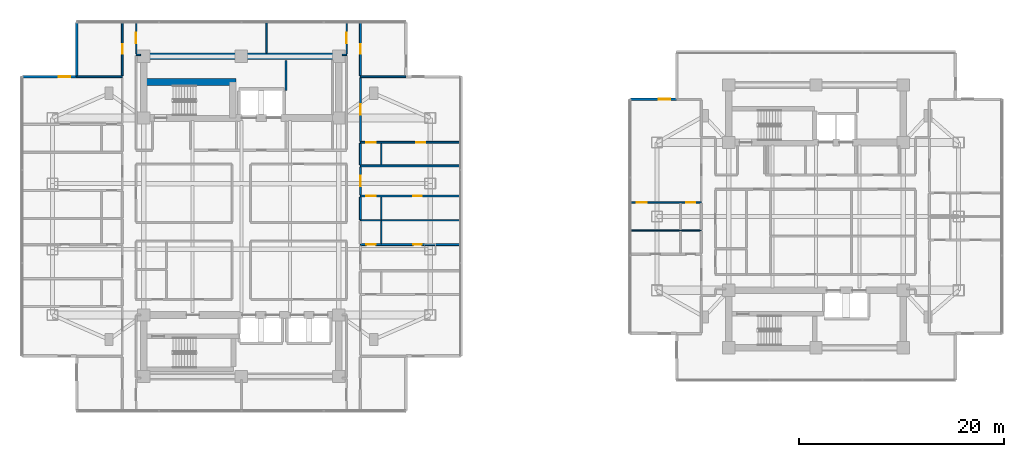
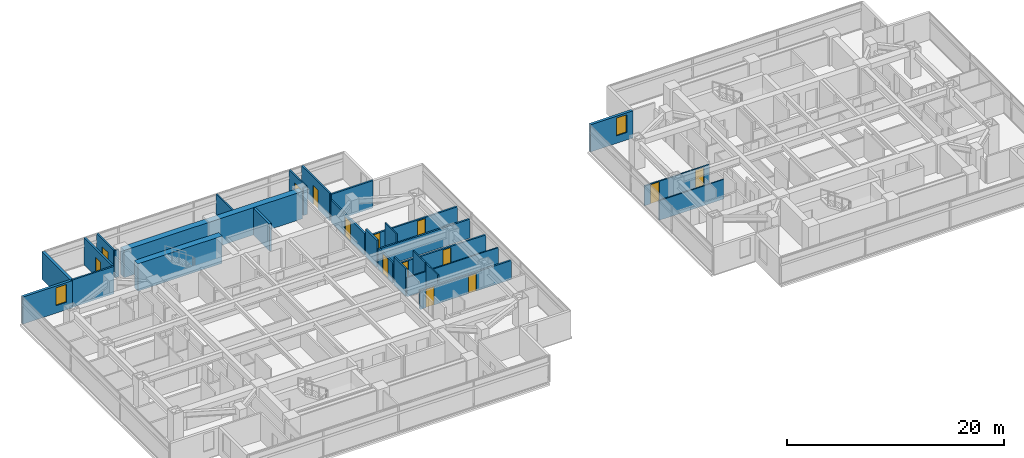
# One storey, part 15 of 24: 29 walls, 14 doors, 2 windows, 16 openings.
"""IFC4 building model written with IfcOpenShell, lengths in metres."""

from ifc_helpers import new_model, si_unit, direction, frame, frame_2d, origin, place, context, subcontext, project, spatial, rectangle, extrude, material, layer, layer_set, type_object, element, fill, save


model = new_model("IFC4")

# Units and contexts
model_context = context("Model", 3, precision=1e-05, world=origin(), true_north=direction((0.0, 1.0)))
body_context = subcontext(model_context, "Body", "Model", "MODEL_VIEW")
ifc_project = project(units=[si_unit("LENGTHUNIT", "METRE"), si_unit("AREAUNIT", "SQUARE_METRE"), si_unit("VOLUMEUNIT", "CUBIC_METRE"), si_unit("PLANEANGLEUNIT", "RADIAN"), si_unit("MASSUNIT", "GRAM", prefix="KILO")], contexts=[model_context])

# Site, building, storey
site_placement = place(None, origin())
site = spatial("IfcSite", under=ifc_project, at=site_placement, CompositionType="ELEMENT")
building_placement = place(site_placement, origin())
building = spatial("IfcBuilding", under=site, at=building_placement, Name="Mirazonda Arch Towers", CompositionType="ELEMENT")
storey_placement = place(building_placement, frame((0.0, 0.0, 101.60009765625)))
storey = spatial("IfcBuildingStorey", under=building, at=storey_placement, Name="L28", CompositionType="ELEMENT", Elevation=101.60009765625)

# Walls
ifc_material_1 = material(Name="Concrete C60/75", Category="concrete")
ifc_layer_1 = layer(ifc_material_1, 0.64990234375, Name="WALL-CORE-650")
ifc_layer_set_1 = layer_set([ifc_layer_1], Name="Concrete C60/75")
wall_type_1 = type_object("IfcWallType", Name="WALL-CORE-650", PredefinedType="SHEAR", material=ifc_layer_set_1)
wall_1_placement = place(storey_placement, frame((11.0, 43.60009765625, 0.0), z_axis=(0.0, 0.0, 1.0), x_axis=(1.0, 0.0, 0.0)))
element("IfcWall", 1, at=wall_1_placement, inside=storey, type_object=wall_type_1, Name="L28 T1N-N Core Shear Wall", PredefinedType="SHEAR", context=body_context, shape_type="SweptSolid", body=[
    extrude(rectangle(XDim=19.0, YDim=0.64990234375, at=frame_2d((9.5, 0.0))), origin(), (0.0, 0.0, 1.0), 3.079833984375),
])
wall_2_placement = place(storey_placement, frame((11.0, 41.093017578125, 0.0), z_axis=(0.0, 0.0, 1.0), x_axis=(1.0, 0.0, 0.0)))
element("IfcWall", 2, at=wall_2_placement, inside=storey, type_object=wall_type_1, Name="L28 T1N-STN Core Shear Wall", PredefinedType="SHEAR", context=body_context, shape_type="SweptSolid", body=[
    extrude(rectangle(XDim=9.0, YDim=0.64990234375, at=frame_2d((4.5, 0.0))), origin(), (0.0, 0.0, 1.0), 3.079833984375),
])

# Wall, opening, window
ifc_material_2 = material(Name="Precast Concrete C40/50", Category="concrete")
ifc_layer_2 = layer(ifc_material_2, 0.280029296875, Name="WALL-EXT-WALL-280")
ifc_layer_set_2 = layer_set([ifc_layer_2], Name="Precast Concrete C40/50")
wall_type_2 = type_object("IfcWallType", Name="WALL-EXT-WALL-280", PredefinedType="SOLIDWALL", material=ifc_layer_set_2)
wall_3_placement = place(storey_placement, frame((4.455078125, 41.616943359375, 0.0), z_axis=(0.0, 0.0, 1.0), x_axis=(-1.0, 0.0, 0.0)))
wall_3 = element("IfcWall", 3, at=wall_3_placement, inside=storey, type_object=wall_type_2, Name="L28 T1 Corner Notch Return Wall WL-L28-T1-CNW1", PredefinedType="SOLIDWALL", context=body_context, shape_type="SweptSolid", body=[
    extrude(rectangle(XDim=5.30517578125, YDim=0.280029296875, at=frame_2d((2.652587890625, 0.0))), origin(), (0.0, 0.0, 1.0), 3.059814453125),
])
opening_1_placement = place(wall_3_placement, frame((0.64990234375, 0.0, 0.85009765625)))
opening_1 = element("IfcOpeningElement", 4, at=opening_1_placement, cuts=wall_3, Name="Opening WN-108", PredefinedType="OPENING", context=body_context, shape_type="SweptSolid", body=[
    extrude(rectangle(XDim=1.10009765625, YDim=2.0, at=frame_2d((0.550048828125, 1.0))), frame((0.0, 0.14990234375, 0.0), z_axis=(0.0, -1.0, 0.0), x_axis=(1.0, 0.0, 0.0)), (0.0, 0.0, 1.0), 0.300048828125),
])
ifc_material_3 = material(Name="Insulated Low-E Solar Glass", Category="glass")
window_type = type_object("IfcWindowType", Name="WIN-NOTCH-1100x2000", PartitioningType="SINGLE_PANEL", PredefinedType="WINDOW", material=ifc_material_3)
window_1_placement = place(opening_1_placement, origin())
window_1 = element("IfcWindow", 5, at=window_1_placement, inside=storey, type_object=window_type, Name="L28 Punched Facade Window WN-L28-T1-CNW1", OverallHeight=2.0, OverallWidth=1.10009765625, PartitioningType="SINGLE_PANEL", PredefinedType="WINDOW", context=body_context, shape_type="SweptSolid", body=[
    extrude(rectangle(XDim=1.10009765625, YDim=2.0, at=frame_2d((0.550048828125, 1.0))), frame((0.0, 0.030029296875, 0.0), z_axis=(0.0, -1.0, 0.0), x_axis=(1.0, 0.0, 0.0)), (0.0, 0.0, 1.0), 0.06005859375),
])
fill(opening_1, window_1)

# Wall
wall_4_placement = place(storey_placement, frame((4.455078125, 46.922119140625, 0.0), z_axis=(0.0, 0.0, 1.0), x_axis=(0.0, -1.0, 0.0)))
element("IfcWall", 6, at=wall_4_placement, inside=storey, type_object=wall_type_2, Name="L28 T1 Corner Notch Return Wall WL-L28-T1-CNW2", PredefinedType="SOLIDWALL", context=body_context, shape_type="SweptSolid", body=[
    extrude(rectangle(XDim=5.30517578125, YDim=0.280029296875, at=frame_2d((2.652587890625, 0.0))), origin(), (0.0, 0.0, 1.0), 3.059814453125),
])

# Wall, opening, window
wall_5_placement = place(storey_placement, frame((62.921875, 39.414306640625, 0.0), z_axis=(0.0, 0.0, 1.0), x_axis=(-1.0, 0.0, 0.0)))
wall_5 = element("IfcWall", 7, at=wall_5_placement, inside=storey, type_object=wall_type_2, Name="L28 T2 Corner Notch Return Wall WL-L28-T2-CNW1", PredefinedType="SOLIDWALL", context=body_context, shape_type="SweptSolid", body=[
    extrude(rectangle(XDim=4.516357421875, YDim=0.280029296875, at=frame_2d((2.25830078125, 0.0))), origin(), (0.0, 0.0, 1.0), 3.059814453125),
])
opening_2_placement = place(wall_5_placement, frame((0.64990234375, 0.0, 0.85009765625)))
opening_2 = element("IfcOpeningElement", 8, at=opening_2_placement, cuts=wall_5, Name="Opening WN-108", PredefinedType="OPENING", context=body_context, shape_type="SweptSolid", body=[
    extrude(rectangle(XDim=1.10009765625, YDim=2.0, at=frame_2d((0.550048828125, 1.0))), frame((0.0, 0.14990234375, 0.0), z_axis=(0.0, -1.0, 0.0), x_axis=(1.0, 0.0, 0.0)), (0.0, 0.0, 1.0), 0.300048828125),
])
window_2_placement = place(opening_2_placement, origin())
window_2 = element("IfcWindow", 9, at=window_2_placement, inside=storey, type_object=window_type, Name="L28 Punched Facade Window WN-L28-T2-CNW1", OverallHeight=2.0, OverallWidth=1.10009765625, PartitioningType="SINGLE_PANEL", PredefinedType="WINDOW", context=body_context, shape_type="SweptSolid", body=[
    extrude(rectangle(XDim=1.10009765625, YDim=2.0, at=frame_2d((0.550048828125, 1.0))), frame((0.0, 0.030029296875, 0.0), z_axis=(0.0, -1.0, 0.0), x_axis=(1.0, 0.0, 0.0)), (0.0, 0.0, 1.0), 0.06005859375),
])
fill(opening_2, window_2)

# Wall
ifc_material_4 = material(Name="Concrete C40/50", Category="concrete")
ifc_layer_3 = layer(ifc_material_4, 0.219970703125, Name="WALL-FFL-220")
ifc_layer_set_3 = layer_set([ifc_layer_3], Name="Concrete C40/50")
wall_type_3 = type_object("IfcWallType", Name="WALL-FFL-220", PredefinedType="SOLIDWALL", material=ifc_layer_set_3)
wall_6_placement = place(storey_placement, frame((24.85009765625, 40.260009765625, 0.0), z_axis=(0.0, 0.0, 1.0), x_axis=(0.0, 1.0, 0.0)))
element("IfcWall", 10, at=wall_6_placement, inside=storey, type_object=wall_type_3, Name="L28 Interior Partition 107", PredefinedType="SOLIDWALL", context=body_context, shape_type="SweptSolid", body=[
    extrude(rectangle(XDim=2.93994140625, YDim=0.219970703125, at=frame_2d((1.469970703125, 0.0))), origin(), (0.0, 0.0, 1.0), 3.079833984375),
])

# Wall, openings, doors
ifc_material_5 = material(Name="Fire-Rated Gypsum Stud Partition")
ifc_layer_4 = layer(ifc_material_5, 0.14990234375, Name="WALL-PART-CORR-150")
ifc_layer_set_4 = layer_set([ifc_layer_4], Name="Fire-Rated Gypsum Stud Partition")
wall_type_4 = type_object("IfcWallType", Name="WALL-PART-CORR-150", PredefinedType="PARTITIONING", material=ifc_layer_set_4)
wall_7_placement = place(storey_placement, frame((58.405029296875, 29.35205078125, 0.0), z_axis=(0.0, 0.0, 1.0), x_axis=(1.0, 0.0, 0.0)))
wall_7 = element("IfcWall", 11, at=wall_7_placement, inside=storey, type_object=wall_type_4, Name="L28 Interior Partition 041", PredefinedType="PARTITIONING", context=body_context, shape_type="SweptSolid", body=[
    extrude(rectangle(XDim=6.9150390625, YDim=0.14990234375, at=frame_2d((3.45751953125, 0.0))), origin(), (0.0, 0.0, 1.0), 2.2158203125),
])
opening_3_placement = place(wall_7_placement, frame((0.632568359375, 0.0, 0.0)))
opening_3 = element("IfcOpeningElement", 12, at=opening_3_placement, cuts=wall_7, Name="Opening DR-104", PredefinedType="OPENING", context=body_context, shape_type="SweptSolid", body=[
    extrude(rectangle(XDim=0.949951171875, YDim=2.14990234375, at=frame_2d((0.47509765625, 1.074951171875))), frame((0.0, 0.0849609375, 0.0), z_axis=(0.0, -1.0, 0.0), x_axis=(1.0, 0.0, 0.0)), (0.0, 0.0, 1.0), 0.169921875),
])
opening_4_placement = place(wall_7_placement, frame((5.425048828125, 0.0, 0.0)))
opening_4 = element("IfcOpeningElement", 13, at=opening_4_placement, cuts=wall_7, Name="Opening DR-120", PredefinedType="OPENING", context=body_context, shape_type="SweptSolid", body=[
    extrude(rectangle(XDim=0.89990234375, YDim=2.10009765625, at=frame_2d((0.449951171875, 1.050048828125))), frame((0.0, 0.0849609375, 0.0), z_axis=(0.0, -1.0, 0.0), x_axis=(1.0, 0.0, 0.0)), (0.0, 0.0, 1.0), 0.169921875),
])
ifc_material_6 = material(Name="Architectural Brushed Steel S355", Category="steel")
door_type_1 = type_object("IfcDoorType", Name="DOOR-ROOM-950", OperationType="NOTDEFINED", PredefinedType="DOOR", material=ifc_material_6)
door_1_placement = place(opening_3_placement, origin())
door_1 = element("IfcDoor", 14, at=door_1_placement, inside=storey, type_object=door_type_1, Name="L28 Suite Bedroom 2 Door", OperationType="SINGLE_SWING_RIGHT", OverallHeight=2.14990234375, OverallWidth=0.949951171875, PredefinedType="DOOR", context=body_context, shape_type="SweptSolid", body=[
    extrude(rectangle(XDim=0.949951171875, YDim=2.14990234375, at=frame_2d((0.47509765625, 1.074951171875))), frame((0.0, 0.02490234375, 0.0), z_axis=(0.0, -1.0, 0.0), x_axis=(1.0, 0.0, 0.0)), (0.0, 0.0, 1.0), 0.050048828125),
])
fill(opening_3, door_1)
door_type_2 = type_object("IfcDoorType", Name="DOOR-WC-900", OperationType="NOTDEFINED", PredefinedType="DOOR", material=ifc_material_6)
door_2_placement = place(opening_4_placement, origin())
door_2 = element("IfcDoor", 15, at=door_2_placement, inside=storey, type_object=door_type_2, Name="L28 Suite En-Suite Bathroom 2 Door", OperationType="SINGLE_SWING_LEFT", OverallHeight=2.10009765625, OverallWidth=0.89990234375, PredefinedType="DOOR", context=body_context, shape_type="SweptSolid", body=[
    extrude(rectangle(XDim=0.89990234375, YDim=2.10009765625, at=frame_2d((0.449951171875, 1.050048828125))), frame((0.0, 0.02490234375, 0.0), z_axis=(0.0, -1.0, 0.0), x_axis=(1.0, 0.0, 0.0)), (0.0, 0.0, 1.0), 0.050048828125),
])
fill(opening_4, door_2)

# Walls
for number, where, z_axis, x_axis, name in (
    (16, (10.239990234375, 43.75, 0.0), (0.0, 0.0, 1.0), (1.0, 0.0, 0.0), "L28 Interior Partition 065"),
    (17, (30.320068359375, 43.75, 0.0), (0.0, 0.0, 1.0), (1.0, 0.0, 0.0), "L28 Interior Partition 066"),
):
    element("IfcWall", number, at=place(storey_placement, frame(where, z_axis=z_axis, x_axis=x_axis)), inside=storey, type_object=wall_type_4, Name=name, PredefinedType="PARTITIONING", context=body_context, shape_type="SweptSolid", body=[
        extrude(rectangle(XDim=0.43994140625, YDim=0.14990234375, at=frame_2d((0.219970703125, 0.0))), origin(), (0.0, 0.0, 1.0), 3.079833984375),
    ])

# Wall, opening, door
wall_8_placement = place(storey_placement, frame((10.239990234375, 43.8349609375, 0.0), z_axis=(0.0, 0.0, 1.0), x_axis=(0.0, 1.0, 0.0)))
wall_8 = element("IfcWall", 18, at=wall_8_placement, inside=storey, type_object=wall_type_4, Name="L28 Interior Partition 087", PredefinedType="PARTITIONING", context=body_context, shape_type="SweptSolid", body=[
    extrude(rectangle(XDim=3.087158203125, YDim=0.14990234375, at=frame_2d((1.54345703125, 0.0))), origin(), (0.0, 0.0, 1.0), 3.079833984375),
])
opening_5_placement = place(wall_8_placement, frame((1.0185546875, 0.0, 0.0)))
opening_5 = element("IfcOpeningElement", 19, at=opening_5_placement, cuts=wall_8, Name="Opening DR-121", PredefinedType="OPENING", context=body_context, shape_type="SweptSolid", body=[
    extrude(rectangle(XDim=1.050048828125, YDim=2.199951171875, at=frame_2d((0.52490234375, 1.10009765625))), frame((0.0, 0.0849609375, 0.0), z_axis=(0.0, -1.0, 0.0), x_axis=(1.0, 0.0, 0.0)), (0.0, 0.0, 1.0), 0.169921875),
])
door_type_3 = type_object("IfcDoorType", Name="DOOR-SUITE-FD60-1050", OperationType="NOTDEFINED", PredefinedType="DOOR", material=ifc_material_6)
door_3_placement = place(opening_5_placement, origin())
door_3 = element("IfcDoor", 20, at=door_3_placement, inside=storey, type_object=door_type_3, Name="L28 North Reading Salon West Door", OperationType="SINGLE_SWING_RIGHT", OverallHeight=2.199951171875, OverallWidth=1.050048828125, PredefinedType="DOOR", context=body_context, shape_type="SweptSolid", body=[
    extrude(rectangle(XDim=1.050048828125, YDim=2.199951171875, at=frame_2d((0.52490234375, 1.10009765625))), frame((0.0, 0.02490234375, 0.0), z_axis=(0.0, -1.0, 0.0), x_axis=(1.0, 0.0, 0.0)), (0.0, 0.0, 1.0), 0.050048828125),
])
fill(opening_5, door_3)

# Wall
wall_9_placement = place(storey_placement, frame((22.9619140625, 43.919921875, 0.0), z_axis=(0.0, 0.0, 1.0), x_axis=(0.0, 1.0, 0.0)))
element("IfcWall", 21, at=wall_9_placement, inside=storey, type_object=wall_type_4, Name="L28 Interior Partition 102", PredefinedType="PARTITIONING", context=body_context, shape_type="SweptSolid", body=[
    extrude(rectangle(XDim=3.002197265625, YDim=0.14990234375, at=frame_2d((1.5009765625, 0.0))), origin(), (0.0, 0.0, 1.0), 3.079833984375),
])

# Wall, opening, door
wall_10_placement = place(storey_placement, frame((30.760009765625, 43.8349609375, 0.0), z_axis=(0.0, 0.0, 1.0), x_axis=(0.0, 1.0, 0.0)))
wall_10 = element("IfcWall", 22, at=wall_10_placement, inside=storey, type_object=wall_type_4, Name="L28 Interior Partition 116", PredefinedType="PARTITIONING", context=body_context, shape_type="SweptSolid", body=[
    extrude(rectangle(XDim=3.087158203125, YDim=0.14990234375, at=frame_2d((1.54345703125, 0.0))), origin(), (0.0, 0.0, 1.0), 3.079833984375),
])
opening_6_placement = place(wall_10_placement, frame((1.0185546875, 0.0, 0.0)))
opening_6 = element("IfcOpeningElement", 23, at=opening_6_placement, cuts=wall_10, Name="Opening DR-121", PredefinedType="OPENING", context=body_context, shape_type="SweptSolid", body=[
    extrude(rectangle(XDim=1.050048828125, YDim=2.199951171875, at=frame_2d((0.52490234375, 1.10009765625))), frame((0.0, 0.0849609375, 0.0), z_axis=(0.0, -1.0, 0.0), x_axis=(1.0, 0.0, 0.0)), (0.0, 0.0, 1.0), 0.169921875),
])
door_4_placement = place(opening_6_placement, origin())
door_4 = element("IfcDoor", 24, at=door_4_placement, inside=storey, type_object=door_type_3, Name="L28 North Reading Salon East Door", OperationType="SINGLE_SWING_LEFT", OverallHeight=2.199951171875, OverallWidth=1.050048828125, PredefinedType="DOOR", context=body_context, shape_type="SweptSolid", body=[
    extrude(rectangle(XDim=1.050048828125, YDim=2.199951171875, at=frame_2d((0.52490234375, 1.10009765625))), frame((0.0, 0.02490234375, 0.0), z_axis=(0.0, -1.0, 0.0), x_axis=(1.0, 0.0, 0.0)), (0.0, 0.0, 1.0), 0.050048828125),
])
fill(opening_6, door_4)

# Wall, openings, doors
ifc_material_7 = material(Name="Fire-Rated Gypsum Twin-Stud Assembly")
ifc_layer_5 = layer(ifc_material_7, 0.179931640625, Name="WALL-PART-DEMISE-180")
ifc_layer_set_5 = layer_set([ifc_layer_5], Name="Fire-Rated Gypsum Twin-Stud Assembly")
wall_type_5 = type_object("IfcWallType", Name="WALL-PART-DEMISE-180", PredefinedType="PARTITIONING", material=ifc_layer_set_5)
wall_11_placement = place(storey_placement, frame((32.10009765625, 25.2509765625, 0.0), z_axis=(0.0, 0.0, 1.0), x_axis=(1.0, 0.0, 0.0)))
wall_11 = element("IfcWall", 25, at=wall_11_placement, inside=storey, type_object=wall_type_5, Name="L28 Interior Partition 030", PredefinedType="PARTITIONING", context=body_context, shape_type="SweptSolid", body=[
    extrude(rectangle(XDim=9.75, YDim=0.179931640625, at=frame_2d((4.875, 0.0))), origin(), (0.0, 0.0, 1.0), 2.14501953125),
])
opening_7_placement = place(wall_11_placement, frame((5.14990234375, 0.0, 0.0)))
opening_7 = element("IfcOpeningElement", 26, at=opening_7_placement, cuts=wall_11, Name="Opening DR-128", PredefinedType="OPENING", context=body_context, shape_type="SweptSolid", body=[
    extrude(rectangle(XDim=0.85009765625, YDim=2.010009765625, at=frame_2d((0.425048828125, 1.0048828125))), frame((0.0, 0.099853515625, 0.0), z_axis=(0.0, -1.0, 0.0), x_axis=(1.0, 0.0, 0.0)), (0.0, 0.0, 1.0), 0.199951171875),
])
opening_8_placement = place(wall_11_placement, frame((0.590087890625, 0.0, 0.0)))
opening_8 = element("IfcOpeningElement", 27, at=opening_8_placement, cuts=wall_11, Name="Opening DR-120", PredefinedType="OPENING", context=body_context, shape_type="SweptSolid", body=[
    extrude(rectangle(XDim=0.89990234375, YDim=2.10009765625, at=frame_2d((0.449951171875, 1.050048828125))), frame((0.0, 0.099853515625, 0.0), z_axis=(0.0, -1.0, 0.0), x_axis=(1.0, 0.0, 0.0)), (0.0, 0.0, 1.0), 0.199951171875),
])
door_type_4 = type_object("IfcDoorType", Name="DOOR-RISER-FD60-850", OperationType="NOTDEFINED", PredefinedType="DOOR", material=ifc_material_6)
door_5_placement = place(opening_7_placement, origin())
door_5 = element("IfcDoor", 28, at=door_5_placement, inside=storey, type_object=door_type_4, Name="L28 Guestroom Study 2 Door", OperationType="SINGLE_SWING_RIGHT", OverallHeight=2.010009765625, OverallWidth=0.85009765625, PredefinedType="DOOR", context=body_context, shape_type="SweptSolid", body=[
    extrude(rectangle(XDim=0.85009765625, YDim=2.010009765625, at=frame_2d((0.425048828125, 1.0048828125))), frame((0.0, 0.02490234375, 0.0), z_axis=(0.0, -1.0, 0.0), x_axis=(1.0, 0.0, 0.0)), (0.0, 0.0, 1.0), 0.050048828125),
])
fill(opening_7, door_5)
door_6_placement = place(opening_8_placement, origin())
door_6 = element("IfcDoor", 29, at=door_6_placement, inside=storey, type_object=door_type_2, Name="L28 En-Suite Bathroom 2 Door", OperationType="SINGLE_SWING_LEFT", OverallHeight=2.10009765625, OverallWidth=0.89990234375, PredefinedType="DOOR", context=body_context, shape_type="SweptSolid", body=[
    extrude(rectangle(XDim=0.89990234375, YDim=2.10009765625, at=frame_2d((0.449951171875, 1.050048828125))), frame((0.0, 0.02490234375, 0.0), z_axis=(0.0, -1.0, 0.0), x_axis=(1.0, 0.0, 0.0)), (0.0, 0.0, 1.0), 0.050048828125),
])
fill(opening_8, door_6)

wall_12_placement = place(storey_placement, frame((32.10009765625, 29.990966796875, 0.0), z_axis=(0.0, 0.0, 1.0), x_axis=(1.0, 0.0, 0.0)))
wall_12 = element("IfcWall", 30, at=wall_12_placement, inside=storey, type_object=wall_type_5, Name="L28 Interior Partition 042", PredefinedType="PARTITIONING", context=body_context, shape_type="SweptSolid", body=[
    extrude(rectangle(XDim=9.75, YDim=0.179931640625, at=frame_2d((4.875, 0.0))), origin(), (0.0, 0.0, 1.0), 2.14501953125),
])
opening_9_placement = place(wall_12_placement, frame((5.14990234375, 0.0, 0.0)))
opening_9 = element("IfcOpeningElement", 31, at=opening_9_placement, cuts=wall_12, Name="Opening DR-128", PredefinedType="OPENING", context=body_context, shape_type="SweptSolid", body=[
    extrude(rectangle(XDim=0.85009765625, YDim=2.010009765625, at=frame_2d((0.425048828125, 1.0048828125))), frame((0.0, 0.099853515625, 0.0), z_axis=(0.0, -1.0, 0.0), x_axis=(1.0, 0.0, 0.0)), (0.0, 0.0, 1.0), 0.199951171875),
])
opening_10_placement = place(wall_12_placement, frame((0.590087890625, 0.0, 0.0)))
opening_10 = element("IfcOpeningElement", 32, at=opening_10_placement, cuts=wall_12, Name="Opening DR-120", PredefinedType="OPENING", context=body_context, shape_type="SweptSolid", body=[
    extrude(rectangle(XDim=0.89990234375, YDim=2.10009765625, at=frame_2d((0.449951171875, 1.050048828125))), frame((0.0, 0.099853515625, 0.0), z_axis=(0.0, -1.0, 0.0), x_axis=(1.0, 0.0, 0.0)), (0.0, 0.0, 1.0), 0.199951171875),
])
door_7_placement = place(opening_9_placement, origin())
door_7 = element("IfcDoor", 33, at=door_7_placement, inside=storey, type_object=door_type_4, Name="L28 Guestroom Study 3 Door", OperationType="SINGLE_SWING_LEFT", OverallHeight=2.010009765625, OverallWidth=0.85009765625, PredefinedType="DOOR", context=body_context, shape_type="SweptSolid", body=[
    extrude(rectangle(XDim=0.85009765625, YDim=2.010009765625, at=frame_2d((0.425048828125, 1.0048828125))), frame((0.0, 0.02490234375, 0.0), z_axis=(0.0, -1.0, 0.0), x_axis=(1.0, 0.0, 0.0)), (0.0, 0.0, 1.0), 0.050048828125),
])
fill(opening_9, door_7)
door_8_placement = place(opening_10_placement, origin())
door_8 = element("IfcDoor", 34, at=door_8_placement, inside=storey, type_object=door_type_2, Name="L28 En-Suite Bathroom 3 Door", OperationType="SINGLE_SWING_RIGHT", OverallHeight=2.10009765625, OverallWidth=0.89990234375, PredefinedType="DOOR", context=body_context, shape_type="SweptSolid", body=[
    extrude(rectangle(XDim=0.89990234375, YDim=2.10009765625, at=frame_2d((0.449951171875, 1.050048828125))), frame((0.0, 0.02490234375, 0.0), z_axis=(0.0, -1.0, 0.0), x_axis=(1.0, 0.0, 0.0)), (0.0, 0.0, 1.0), 0.050048828125),
])
fill(opening_10, door_8)

# Wall
wall_13_placement = place(storey_placement, frame((32.10009765625, 32.923095703125, 0.0), z_axis=(0.0, 0.0, 1.0), x_axis=(1.0, 0.0, 0.0)))
element("IfcWall", 35, at=wall_13_placement, inside=storey, type_object=wall_type_5, Name="L28 Interior Partition 050", PredefinedType="PARTITIONING", context=body_context, shape_type="SweptSolid", body=[
    extrude(rectangle(XDim=9.75, YDim=0.179931640625, at=frame_2d((4.875, 0.0))), origin(), (0.0, 0.0, 1.0), 2.14501953125),
])

# Wall, openings, doors
wall_14_placement = place(storey_placement, frame((32.10009765625, 35.222900390625, 0.0), z_axis=(0.0, 0.0, 1.0), x_axis=(1.0, 0.0, 0.0)))
wall_14 = element("IfcWall", 36, at=wall_14_placement, inside=storey, type_object=wall_type_5, Name="L28 Interior Partition 054", PredefinedType="PARTITIONING", context=body_context, shape_type="SweptSolid", body=[
    extrude(rectangle(XDim=9.75, YDim=0.179931640625, at=frame_2d((4.875, 0.0))), origin(), (0.0, 0.0, 1.0), 2.14501953125),
])
opening_11_placement = place(wall_14_placement, frame((5.449951171875, 0.0, 0.0)))
opening_11 = element("IfcOpeningElement", 37, at=opening_11_placement, cuts=wall_14, Name="Opening DR-128", PredefinedType="OPENING", context=body_context, shape_type="SweptSolid", body=[
    extrude(rectangle(XDim=0.85009765625, YDim=2.010009765625, at=frame_2d((0.425048828125, 1.0048828125))), frame((0.0, 0.099853515625, 0.0), z_axis=(0.0, -1.0, 0.0), x_axis=(1.0, 0.0, 0.0)), (0.0, 0.0, 1.0), 0.199951171875),
])
opening_12_placement = place(wall_14_placement, frame((0.590087890625, 0.0, 0.0)))
opening_12 = element("IfcOpeningElement", 38, at=opening_12_placement, cuts=wall_14, Name="Opening DR-120", PredefinedType="OPENING", context=body_context, shape_type="SweptSolid", body=[
    extrude(rectangle(XDim=0.89990234375, YDim=2.10009765625, at=frame_2d((0.449951171875, 1.050048828125))), frame((0.0, 0.099853515625, 0.0), z_axis=(0.0, -1.0, 0.0), x_axis=(1.0, 0.0, 0.0)), (0.0, 0.0, 1.0), 0.199951171875),
])
door_9_placement = place(opening_11_placement, origin())
door_9 = element("IfcDoor", 39, at=door_9_placement, inside=storey, type_object=door_type_4, Name="L28 Guestroom Study 4 Door", OperationType="SINGLE_SWING_RIGHT", OverallHeight=2.010009765625, OverallWidth=0.85009765625, PredefinedType="DOOR", context=body_context, shape_type="SweptSolid", body=[
    extrude(rectangle(XDim=0.85009765625, YDim=2.010009765625, at=frame_2d((0.425048828125, 1.0048828125))), frame((0.0, 0.02490234375, 0.0), z_axis=(0.0, -1.0, 0.0), x_axis=(1.0, 0.0, 0.0)), (0.0, 0.0, 1.0), 0.050048828125),
])
fill(opening_11, door_9)
door_10_placement = place(opening_12_placement, origin())
door_10 = element("IfcDoor", 40, at=door_10_placement, inside=storey, type_object=door_type_2, Name="L28 En-Suite Bathroom 4 Door", OperationType="SINGLE_SWING_LEFT", OverallHeight=2.10009765625, OverallWidth=0.89990234375, PredefinedType="DOOR", context=body_context, shape_type="SweptSolid", body=[
    extrude(rectangle(XDim=0.89990234375, YDim=2.10009765625, at=frame_2d((0.449951171875, 1.050048828125))), frame((0.0, 0.02490234375, 0.0), z_axis=(0.0, -1.0, 0.0), x_axis=(1.0, 0.0, 0.0)), (0.0, 0.0, 1.0), 0.050048828125),
])
fill(opening_12, door_10)

# Walls
for number, where, z_axis, x_axis, name in (
    (41, (4.47509765625, 41.616943359375, 0.0), (0.0, 0.0, 1.0), (1.0, 0.0, 0.0), "L28 Interior Partition 063"),
    (42, (32.10009765625, 41.616943359375, 0.0), (0.0, 0.0, 1.0), (1.0, 0.0, 0.0), "L28 Interior Partition 064"),
):
    element("IfcWall", number, at=place(storey_placement, frame(where, z_axis=z_axis, x_axis=x_axis)), inside=storey, type_object=wall_type_5, Name=name, PredefinedType="PARTITIONING", context=body_context, shape_type="SweptSolid", body=[
        extrude(rectangle(XDim=4.4248046875, YDim=0.179931640625, at=frame_2d((2.21240234375, 0.0))), origin(), (0.0, 0.0, 1.0), 3.079833984375),
    ])

# Wall, opening, door
wall_15_placement = place(storey_placement, frame((8.89990234375, 41.717041015625, 0.0), z_axis=(0.0, 0.0, 1.0), x_axis=(0.0, 1.0, 0.0)))
wall_15 = element("IfcWall", 43, at=wall_15_placement, inside=storey, type_object=wall_type_5, Name="L28 Interior Partition 080", PredefinedType="PARTITIONING", context=body_context, shape_type="SweptSolid", body=[
    extrude(rectangle(XDim=5.205078125, YDim=0.179931640625, at=frame_2d((2.6025390625, 0.0))), origin(), (0.0, 0.0, 1.0), 3.079833984375),
])
opening_13_placement = place(wall_15_placement, frame((2.12744140625, 0.0, 0.0)))
opening_13 = element("IfcOpeningElement", 44, at=opening_13_placement, cuts=wall_15, Name="Opening DR-104", PredefinedType="OPENING", context=body_context, shape_type="SweptSolid", body=[
    extrude(rectangle(XDim=0.949951171875, YDim=2.14990234375, at=frame_2d((0.47509765625, 1.074951171875))), frame((0.0, 0.099853515625, 0.0), z_axis=(0.0, -1.0, 0.0), x_axis=(1.0, 0.0, 0.0)), (0.0, 0.0, 1.0), 0.199951171875),
])
door_11_placement = place(opening_13_placement, origin())
door_11 = element("IfcDoor", 45, at=door_11_placement, inside=storey, type_object=door_type_1, Name="L28 North Reading Salon Alcove West Door", OperationType="SINGLE_SWING_RIGHT", OverallHeight=2.14990234375, OverallWidth=0.949951171875, PredefinedType="DOOR", context=body_context, shape_type="SweptSolid", body=[
    extrude(rectangle(XDim=0.949951171875, YDim=2.14990234375, at=frame_2d((0.47509765625, 1.074951171875))), frame((0.0, 0.02490234375, 0.0), z_axis=(0.0, -1.0, 0.0), x_axis=(1.0, 0.0, 0.0)), (0.0, 0.0, 1.0), 0.050048828125),
])
fill(opening_13, door_11)

# Wall
wall_16_placement = place(storey_placement, frame((32.10009765625, 27.693603515625, 0.0), z_axis=(0.0, 0.0, 1.0), x_axis=(0.0, 1.0, 0.0)))
element("IfcWall", 46, at=wall_16_placement, inside=storey, type_object=wall_type_5, Name="L28 Interior Partition 122", PredefinedType="PARTITIONING", context=body_context, shape_type="SweptSolid", body=[
    extrude(rectangle(XDim=2.197509765625, YDim=0.179931640625, at=frame_2d((1.0986328125, 0.0))), origin(), (0.0, 0.0, 1.0), 3.079833984375),
])

# Wall, opening, door
wall_17_placement = place(storey_placement, frame((32.10009765625, 30.091064453125, 0.0), z_axis=(0.0, 0.0, 1.0), x_axis=(0.0, 1.0, 0.0)))
wall_17 = element("IfcWall", 47, at=wall_17_placement, inside=storey, type_object=wall_type_5, Name="L28 Interior Partition 123", PredefinedType="PARTITIONING", context=body_context, shape_type="SweptSolid", body=[
    extrude(rectangle(XDim=2.73193359375, YDim=0.179931640625, at=frame_2d((1.365966796875, 0.0))), origin(), (0.0, 0.0, 1.0), 2.298828125),
])
opening_14_placement = place(wall_17_placement, frame((0.841064453125, 0.0, 0.0)))
opening_14 = element("IfcOpeningElement", 48, at=opening_14_placement, cuts=wall_17, Name="Opening DR-121", PredefinedType="OPENING", context=body_context, shape_type="SweptSolid", body=[
    extrude(rectangle(XDim=1.050048828125, YDim=2.199951171875, at=frame_2d((0.52490234375, 1.10009765625))), frame((0.0, 0.099853515625, 0.0), z_axis=(0.0, -1.0, 0.0), x_axis=(1.0, 0.0, 0.0)), (0.0, 0.0, 1.0), 0.199951171875),
])
door_12_placement = place(opening_14_placement, origin())
door_12 = element("IfcDoor", 49, at=door_12_placement, inside=storey, type_object=door_type_3, Name="L28 King Hotel Guestroom 3 Door", OperationType="SINGLE_SWING_RIGHT", OverallHeight=2.199951171875, OverallWidth=1.050048828125, PredefinedType="DOOR", context=body_context, shape_type="SweptSolid", body=[
    extrude(rectangle(XDim=1.050048828125, YDim=2.199951171875, at=frame_2d((0.52490234375, 1.10009765625))), frame((0.0, 0.02490234375, 0.0), z_axis=(0.0, -1.0, 0.0), x_axis=(1.0, 0.0, 0.0)), (0.0, 0.0, 1.0), 0.050048828125),
])
fill(opening_14, door_12)

# Wall
wall_18_placement = place(storey_placement, frame((32.10009765625, 33.02294921875, 0.0), z_axis=(0.0, 0.0, 1.0), x_axis=(0.0, 1.0, 0.0)))
element("IfcWall", 50, at=wall_18_placement, inside=storey, type_object=wall_type_5, Name="L28 Interior Partition 124", PredefinedType="PARTITIONING", context=body_context, shape_type="SweptSolid", body=[
    extrude(rectangle(XDim=2.10009765625, YDim=0.179931640625, at=frame_2d((1.050048828125, 0.0))), origin(), (0.0, 0.0, 1.0), 3.079833984375),
])

# Wall, opening, door
wall_19_placement = place(storey_placement, frame((32.10009765625, 35.322998046875, 0.0), z_axis=(0.0, 0.0, 1.0), x_axis=(0.0, 1.0, 0.0)))
wall_19 = element("IfcWall", 51, at=wall_19_placement, inside=storey, type_object=wall_type_5, Name="L28 Interior Partition 125", PredefinedType="PARTITIONING", context=body_context, shape_type="SweptSolid", body=[
    extrude(rectangle(XDim=6.194091796875, YDim=0.179931640625, at=frame_2d((3.09716796875, 0.0))), origin(), (0.0, 0.0, 1.0), 2.455810546875),
])
opening_15_placement = place(wall_19_placement, frame((2.572021484375, 0.0, 0.0)))
opening_15 = element("IfcOpeningElement", 52, at=opening_15_placement, cuts=wall_19, Name="Opening DR-121", PredefinedType="OPENING", context=body_context, shape_type="SweptSolid", body=[
    extrude(rectangle(XDim=1.050048828125, YDim=2.199951171875, at=frame_2d((0.52490234375, 1.10009765625))), frame((0.0, 0.099853515625, 0.0), z_axis=(0.0, -1.0, 0.0), x_axis=(1.0, 0.0, 0.0)), (0.0, 0.0, 1.0), 0.199951171875),
])
door_13_placement = place(opening_15_placement, origin())
door_13 = element("IfcDoor", 53, at=door_13_placement, inside=storey, type_object=door_type_3, Name="L28 Twin Hotel Guestroom 4 Door", OperationType="SINGLE_SWING_LEFT", OverallHeight=2.199951171875, OverallWidth=1.050048828125, PredefinedType="DOOR", context=body_context, shape_type="SweptSolid", body=[
    extrude(rectangle(XDim=1.050048828125, YDim=2.199951171875, at=frame_2d((0.52490234375, 1.10009765625))), frame((0.0, 0.02490234375, 0.0), z_axis=(0.0, -1.0, 0.0), x_axis=(1.0, 0.0, 0.0)), (0.0, 0.0, 1.0), 0.050048828125),
])
fill(opening_15, door_13)

wall_20_placement = place(storey_placement, frame((32.10009765625, 41.717041015625, 0.0), z_axis=(0.0, 0.0, 1.0), x_axis=(0.0, 1.0, 0.0)))
wall_20 = element("IfcWall", 54, at=wall_20_placement, inside=storey, type_object=wall_type_5, Name="L28 Interior Partition 126", PredefinedType="PARTITIONING", context=body_context, shape_type="SweptSolid", body=[
    extrude(rectangle(XDim=5.205078125, YDim=0.179931640625, at=frame_2d((2.6025390625, 0.0))), origin(), (0.0, 0.0, 1.0), 3.079833984375),
])
opening_16_placement = place(wall_20_placement, frame((2.12744140625, 0.0, 0.0)))
opening_16 = element("IfcOpeningElement", 55, at=opening_16_placement, cuts=wall_20, Name="Opening DR-104", PredefinedType="OPENING", context=body_context, shape_type="SweptSolid", body=[
    extrude(rectangle(XDim=0.949951171875, YDim=2.14990234375, at=frame_2d((0.47509765625, 1.074951171875))), frame((0.0, 0.099853515625, 0.0), z_axis=(0.0, -1.0, 0.0), x_axis=(1.0, 0.0, 0.0)), (0.0, 0.0, 1.0), 0.199951171875),
])
door_14_placement = place(opening_16_placement, origin())
door_14 = element("IfcDoor", 56, at=door_14_placement, inside=storey, type_object=door_type_1, Name="L28 North Reading Salon Alcove East Door", OperationType="SINGLE_SWING_LEFT", OverallHeight=2.14990234375, OverallWidth=0.949951171875, PredefinedType="DOOR", context=body_context, shape_type="SweptSolid", body=[
    extrude(rectangle(XDim=0.949951171875, YDim=2.14990234375, at=frame_2d((0.47509765625, 1.074951171875))), frame((0.0, 0.02490234375, 0.0), z_axis=(0.0, -1.0, 0.0), x_axis=(1.0, 0.0, 0.0)), (0.0, 0.0, 1.0), 0.050048828125),
])
fill(opening_16, door_14)

# Walls
ifc_material_8 = material(Name="Acoustic Fire-Rated Gypsum Partition")
ifc_layer_6 = layer(ifc_material_8, 0.125, Name="WALL-PART-UNIT-125")
ifc_layer_set_6 = layer_set([ifc_layer_6], Name="Acoustic Fire-Rated Gypsum Partition")
wall_type_6 = type_object("IfcWallType", Name="WALL-PART-UNIT-125", PredefinedType="PARTITIONING", material=ifc_layer_set_6)
wall_21_placement = place(storey_placement, frame((58.405029296875, 26.632080078125, 0.0), z_axis=(0.0, 0.0, 1.0), x_axis=(1.0, 0.0, 0.0)))
element("IfcWall", 57, at=wall_21_placement, inside=storey, type_object=wall_type_6, Name="L28 Interior Partition 035", PredefinedType="PARTITIONING", context=body_context, shape_type="SweptSolid", body=[
    extrude(rectangle(XDim=6.9150390625, YDim=0.125, at=frame_2d((3.45751953125, 0.0))), origin(), (0.0, 0.0, 1.0), 2.2158203125),
])
wall_22_placement = place(storey_placement, frame((32.10009765625, 27.62109375, 0.0), z_axis=(0.0, 0.0, 1.0), x_axis=(1.0, 0.0, 0.0)))
element("IfcWall", 58, at=wall_22_placement, inside=storey, type_object=wall_type_6, Name="L28 Interior Partition 039", PredefinedType="PARTITIONING", context=body_context, shape_type="SweptSolid", body=[
    extrude(rectangle(XDim=9.75, YDim=0.125, at=frame_2d((4.875, 0.0))), origin(), (0.0, 0.0, 1.0), 2.14501953125),
])
for number, where, z_axis, x_axis, name in (
    (59, (34.139892578125, 25.35107421875, 0.0), (0.0, 0.0, 1.0), (0.0, 1.0, 0.0), "L28 Interior Partition 128"),
    (60, (34.139892578125, 27.693603515625, 0.0), (0.0, 0.0, 1.0), (0.0, 1.0, 0.0), "L28 Interior Partition 129"),
):
    element("IfcWall", number, at=place(storey_placement, frame(where, z_axis=z_axis, x_axis=x_axis)), inside=storey, type_object=wall_type_6, Name=name, PredefinedType="PARTITIONING", context=body_context, shape_type="SweptSolid", body=[
        extrude(rectangle(XDim=2.197509765625, YDim=0.125, at=frame_2d((1.0986328125, 0.0))), origin(), (0.0, 0.0, 1.0), 3.079833984375),
    ])
wall_23_placement = place(storey_placement, frame((34.139892578125, 33.02294921875, 0.0), z_axis=(0.0, 0.0, 1.0), x_axis=(0.0, 1.0, 0.0)))
element("IfcWall", 61, at=wall_23_placement, inside=storey, type_object=wall_type_6, Name="L28 Interior Partition 130", PredefinedType="PARTITIONING", context=body_context, shape_type="SweptSolid", body=[
    extrude(rectangle(XDim=2.10009765625, YDim=0.125, at=frame_2d((1.050048828125, 0.0))), origin(), (0.0, 0.0, 1.0), 3.079833984375),
])

save(model, "model.ifc")
